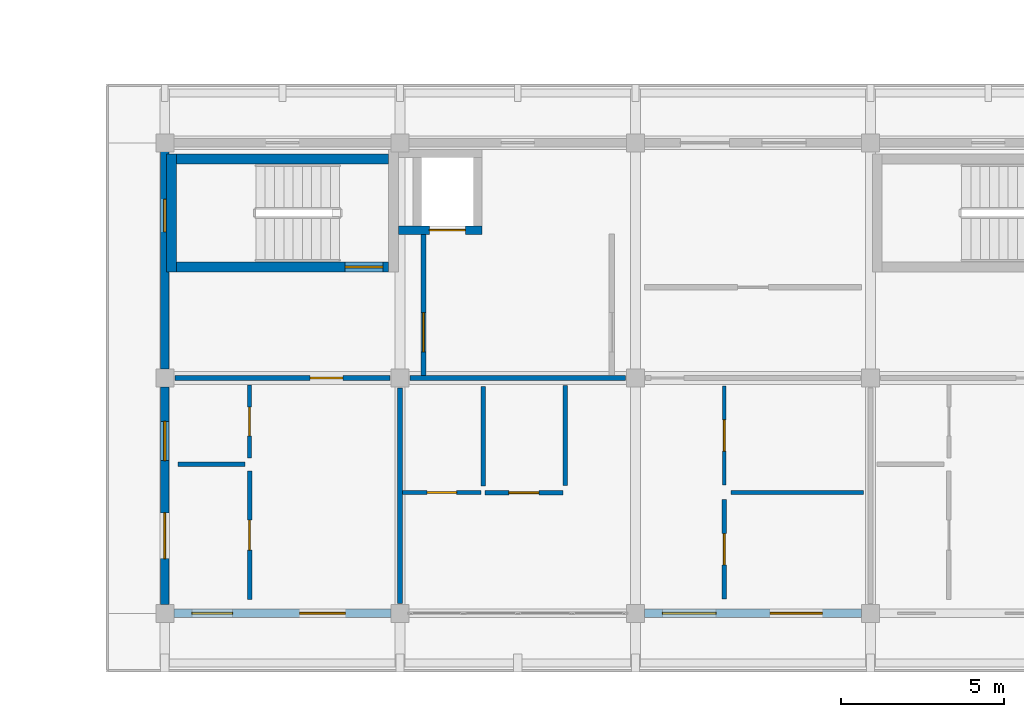
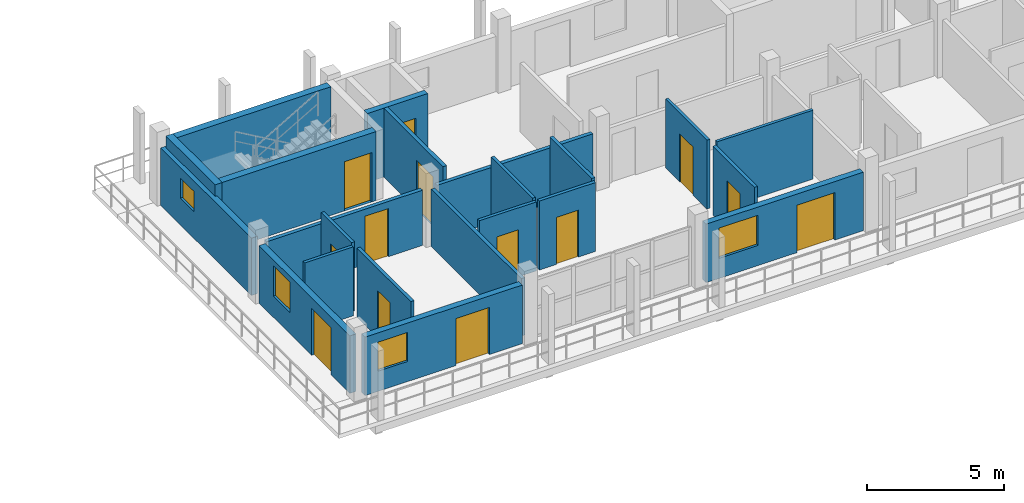
# One storey, part 40 of 60: 22 walls, 13 doors, 4 windows, 17 openings.
"""IFC4 building model written with IfcOpenShell, lengths in metres."""

import ifcopenshell
import ifcopenshell.guid

model = None  # the IFC model being written
_history = None  # IfcOwnerHistory: only IFC2X3 demands one
_inside = {}  # id of a spatial element -> (the spatial element, [elements in it])
_under = {}  # id of a project, library or spatial element -> (it, [spatial elements below it])
_declared = {}  # id of a project -> (the project, [libraries it declares])
_typed = {}  # id of a type object -> (the type object, [elements of that type])
_made_of = {}  # id of a material, layer set ... -> (it, [elements and type objects made of it])


def new_model(schema):
    """Start an empty IFC model of exactly this schema.

    Asked for "IFC4X3", IfcOpenShell would pick the latest addendum, in which some entities
    have other attributes; the version numbers below select the first issue.
    IFC2X3 requires an IfcOwnerHistory on every rooted entity: one is made here for all.
    """
    global model, _history
    if schema == "IFC4X3":
        model = ifcopenshell.file(schema_version=(4, 3, 0, 0))
    else:
        model = ifcopenshell.file(schema=schema)
    _inside.clear()
    _under.clear()
    _declared.clear()
    _typed.clear()
    _made_of.clear()
    _history = None
    if model.schema == "IFC2X3":
        org = make("IfcOrganization", Name="unknown")
        user = make(
            "IfcPersonAndOrganization",
            ThePerson=make("IfcPerson", FamilyName="unknown"),
            TheOrganization=org,
        )
        app = make(
            "IfcApplication",
            ApplicationDeveloper=org,
            Version="unknown",
            ApplicationFullName="unknown",
            ApplicationIdentifier="unknown",
        )
        _history = make(
            "IfcOwnerHistory",
            OwningUser=user,
            OwningApplication=app,
            ChangeAction="ADDED",
            CreationDate=0,
        )
    return model


def make(cls, **values):
    """One entity of the class cls with the attributes given. An attribute that is None is left unset."""
    return model.create_entity(
        cls, **{name: value for name, value in values.items() if value is not None}
    )


def rooted(cls, **values):
    """An entity with a GlobalId (a new one), such as an element, a storey or a relation."""
    return make(cls, GlobalId=ifcopenshell.guid.new(), OwnerHistory=_history, **values)


def si_unit(unit_type, name, prefix=None):
    """IfcSIUnit, for example si_unit("LENGTHUNIT", "METRE", prefix="MILLI")."""
    return make("IfcSIUnit", UnitType=unit_type, Prefix=prefix, Name=name)


def assignment(units):
    """IfcUnitAssignment: the units of a project."""
    return None if units is None else make("IfcUnitAssignment", Units=units)


def point(xyz):
    """IfcCartesianPoint."""
    return None if xyz is None else make("IfcCartesianPoint", Coordinates=xyz)


def direction(xyz):
    """IfcDirection."""
    return None if xyz is None else make("IfcDirection", DirectionRatios=xyz)


def frame(location, z_axis=None, x_axis=None):
    """IfcAxis2Placement3D, a coordinate frame: its origin and axes. An axis left out is left unset."""
    return make(
        "IfcAxis2Placement3D",
        Location=point(location),
        Axis=direction(z_axis),
        RefDirection=direction(x_axis),
    )


def frame_2d(location, x_axis=None):
    """IfcAxis2Placement2D, a coordinate frame in the plane: its origin and x axis."""
    return make(
        "IfcAxis2Placement2D", Location=point(location), RefDirection=direction(x_axis)
    )


def origin():
    """The frame at (0, 0, 0) with its axes left unset."""
    return frame((0.0, 0.0, 0.0))


def place(relative_to, where):
    """IfcLocalPlacement: puts the frame where relative to a parent placement (None: the world)."""
    return make(
        "IfcLocalPlacement", PlacementRelTo=relative_to, RelativePlacement=where
    )


def context(
    kind, dimensions, precision=None, world=None, true_north=None, identifier=None
):
    """IfcGeometricRepresentationContext, for example the 3D "Model" context."""
    return make(
        "IfcGeometricRepresentationContext",
        ContextIdentifier=identifier,
        ContextType=kind,
        CoordinateSpaceDimension=dimensions,
        Precision=precision,
        WorldCoordinateSystem=world,
        TrueNorth=true_north,
    )


def subcontext(parent, identifier, kind, view, scale=None):
    """IfcGeometricRepresentationSubContext, for example "Body" below "Model"."""
    return make(
        "IfcGeometricRepresentationSubContext",
        ContextIdentifier=identifier,
        ContextType=kind,
        ParentContext=parent,
        TargetScale=scale,
        TargetView=view,
    )


def project(units=None, contexts=None):
    """IfcProject with its units and contexts."""
    return rooted(
        "IfcProject",
        Name="project",
        RepresentationContexts=contexts,
        UnitsInContext=assignment(units),
    )


def spatial(cls, under=None, at=None, **own):
    """A site, building, storey or space (cls), placed at a placement, below another one or the project."""
    s = rooted(cls, ObjectPlacement=at, **own)
    if under is not None:
        _under.setdefault(under.id(), (under, []))[1].append(s)
    return s


def profile(cls, at=None, kind="AREA", **sizes):
    """A parametric profile (cls). Its sizes go by their IFC names, for example OverallWidth=200.0."""
    return make(cls, ProfileType=kind, Position=at, **sizes)


def rectangle(**sizes):
    """IfcRectangleProfileDef."""
    return profile("IfcRectangleProfileDef", **sizes)


def extrude(swept, where, along, depth):
    """IfcExtrudedAreaSolid: the profile swept, set in the frame where, extruded along a direction by depth."""
    return make(
        "IfcExtrudedAreaSolid",
        SweptArea=swept,
        Position=where,
        ExtrudedDirection=direction(along),
        Depth=depth,
    )


def shape(context_of_items, identifier, shape_type, items):
    """IfcShapeRepresentation: the items that make up one representation, for example the "Body"."""
    return make(
        "IfcShapeRepresentation",
        ContextOfItems=context_of_items,
        RepresentationIdentifier=identifier,
        RepresentationType=shape_type,
        Items=items,
    )


def material(Name=None, Category=None):
    """IfcMaterial."""
    return make("IfcMaterial", Name=Name, Category=Category)


def layer(
    of_material, thickness, ventilated=None, Name=None, Category=None, Priority=None
):
    """IfcMaterialLayer: one layer of a wall or slab, of a material (None: an air gap)."""
    return make(
        "IfcMaterialLayer",
        Material=of_material,
        LayerThickness=thickness,
        IsVentilated=ventilated,
        Name=Name,
        Category=Category,
        Priority=Priority,
    )


def layer_set(layers, Name=None):
    """IfcMaterialLayerSet."""
    return make("IfcMaterialLayerSet", MaterialLayers=layers, LayerSetName=Name)


def made_of(thing, what):
    """Note that an element or type object is made of a material, layer set ...; save() writes the relation."""
    if what is not None:
        _made_of.setdefault(what.id(), (what, []))[1].append(thing)
    return thing


def type_object(cls, material=None, **own):
    """A type object (cls), such as IfcWallType, which elements share."""
    return made_of(rooted(cls, **own), material)


def element(
    cls,
    number,
    at=None,
    inside=None,
    cuts=None,
    type_object=None,
    material=None,
    context=None,
    identifier="Body",
    shape_type=None,
    held_by="IfcProductDefinitionShape",
    body=None,
    shapes=None,
    **own,
):
    """One element of the class cls, such as IfcWall. Its Tag is "e" and its number.

    at: its placement. inside: the storey or other place that contains it. cuts: it is an
    opening in that element (IfcRelVoidsElement). A single representation is given by context,
    identifier, shape_type and body (its items); several are given by shapes. held_by: the class
    of the entity that holds the representations. save() writes the other relations.
    """
    e = rooted(cls, Tag="e%d" % number, ObjectPlacement=at, **own)
    if body is not None:
        shapes = [shape(context, identifier, shape_type, body)]
    if shapes is not None:
        e.Representation = make(held_by, Representations=shapes)
    if inside is not None:
        _inside.setdefault(inside.id(), (inside, []))[1].append(e)
    if cuts is not None:
        rooted(
            "IfcRelVoidsElement", RelatingBuildingElement=cuts, RelatedOpeningElement=e
        )
    if type_object is not None:
        _typed.setdefault(type_object.id(), (type_object, []))[1].append(e)
    return made_of(e, material)


def fill(opening, filler):
    """IfcRelFillsElement: the door or window that sits in an opening."""
    return rooted(
        "IfcRelFillsElement",
        RelatingOpeningElement=opening,
        RelatedBuildingElement=filler,
    )


def aggregate(whole, parts):
    """IfcRelAggregates: a whole, such as a stair, and the parts it consists of."""
    return rooted("IfcRelAggregates", RelatingObject=whole, RelatedObjects=parts)


def save(model, path):
    """Write the relations noted so far, then the file.

    IfcRelAggregates (storeys below a building ...), IfcRelContainedInSpatialStructure (elements
    in a storey), IfcRelDefinesByType, IfcRelAssociatesMaterial and IfcRelDeclares: one each for
    every whole, place, type object, material and project.
    """
    for whole, parts in _under.values():
        aggregate(whole, parts)
    for where, things in _inside.values():
        rooted(
            "IfcRelContainedInSpatialStructure",
            RelatedElements=things,
            RelatingStructure=where,
        )
    for kind, things in _typed.values():
        rooted("IfcRelDefinesByType", RelatedObjects=things, RelatingType=kind)
    for what, things in _made_of.values():
        rooted("IfcRelAssociatesMaterial", RelatedObjects=things, RelatingMaterial=what)
    for by, libraries in _declared.values():
        rooted("IfcRelDeclares", RelatingContext=by, RelatedDefinitions=libraries)
    model.write(path)


model = new_model("IFC4")

# Units and contexts
model_context = context("Model", 3, precision=1e-05, world=origin(), true_north=direction((0.0, 1.0)))
body_context = subcontext(model_context, "Body", "Model", "MODEL_VIEW")
ifc_project = project(units=[si_unit("LENGTHUNIT", "METRE"), si_unit("AREAUNIT", "SQUARE_METRE"), si_unit("VOLUMEUNIT", "CUBIC_METRE"), si_unit("PLANEANGLEUNIT", "RADIAN"), si_unit("MASSUNIT", "GRAM", prefix="KILO")], contexts=[model_context])

# Site, building, storey
site_placement = place(None, origin())
site = spatial("IfcSite", under=ifc_project, at=site_placement, CompositionType="ELEMENT")
building_placement = place(site_placement, origin())
building = spatial("IfcBuilding", under=site, at=building_placement, Name="Suanplinth Sawtooth Commons", CompositionType="ELEMENT")
storey_placement = place(building_placement, frame((0.0, 0.0, 31.5)))
storey = spatial("IfcBuildingStorey", under=building, at=storey_placement, Name="L09", CompositionType="ELEMENT", Elevation=31.5)

# Wall, opening, door
ifc_material_1 = material(Name="Concrete C40/50", Category="concrete")
ifc_layer_1 = layer(ifc_material_1, 0.300048828125, Name="Standard RC stair and lift core wall 300mm")
ifc_layer_set_1 = layer_set([ifc_layer_1], Name="Concrete C40/50")
wall_type_1 = type_object("IfcWallType", Name="W-CR02", PredefinedType="SHEAR", material=ifc_layer_set_1)
wall_1_placement = place(storey_placement, frame((137.14990234375, 10.60009765625, 0.0), z_axis=(0.0, 0.0, 1.0), x_axis=(1.0, 0.0, 0.0)))
wall_1 = element("IfcWall", 1, at=wall_1_placement, inside=storey, type_object=wall_type_1, Name="W-L09-C-C1-STS", PredefinedType="SHEAR", context=body_context, shape_type="SweptSolid", body=[
    extrude(rectangle(XDim=6.5, YDim=0.300048828125, at=frame_2d((3.25, 0.0))), origin(), (0.0, 0.0, 1.0), 3.080078125),
])
opening_1_placement = place(wall_1_placement, frame((5.169921875, 0.0, 0.0)))
opening_1 = element("IfcOpeningElement", 2, at=opening_1_placement, cuts=wall_1, Name="Opening FD0316", PredefinedType="OPENING", context=body_context, shape_type="SweptSolid", body=[
    extrude(rectangle(XDim=1.14990234375, YDim=2.199951171875, at=frame_2d((0.574951171875, 1.10009765625))), frame((0.0, 0.1650390625, 0.0), z_axis=(0.0, -1.0, 0.0), x_axis=(1.0, 0.0, 0.0)), (0.0, 0.0, 1.0), 0.329833984375),
])
ifc_material_2 = material(Name="Teak hardwood fire-rated door assembly", Category="wood")
door_type_1 = type_object("IfcDoorType", Name="FD-01", OperationType="NOTDEFINED", PredefinedType="DOOR", material=ifc_material_2)
door_1_placement = place(opening_1_placement, origin())
door_1 = element("IfcDoor", 3, at=door_1_placement, inside=storey, type_object=door_type_1, Name="Exit Stair Fire Door FD0316", OperationType="SINGLE_SWING_LEFT", OverallHeight=2.199951171875, OverallWidth=1.14990234375, PredefinedType="DOOR", context=body_context, shape_type="SweptSolid", body=[
    extrude(rectangle(XDim=1.14990234375, YDim=2.199951171875, at=frame_2d((0.574951171875, 1.10009765625))), frame((0.0, 0.02490234375, 0.0), z_axis=(0.0, -1.0, 0.0), x_axis=(1.0, 0.0, 0.0)), (0.0, 0.0, 1.0), 0.050048828125),
])
fill(opening_1, door_1)

# Walls
wall_2_placement = place(storey_placement, frame((137.14990234375, 13.89990234375, 0.0), z_axis=(0.0, 0.0, 1.0), x_axis=(1.0, 0.0, 0.0)))
element("IfcWall", 4, at=wall_2_placement, inside=storey, type_object=wall_type_1, Name="W-L09-C-C1-STN", PredefinedType="SHEAR", context=body_context, shape_type="SweptSolid", body=[
    extrude(rectangle(XDim=6.5, YDim=0.300048828125, at=frame_2d((3.25, 0.0))), origin(), (0.0, 0.0, 1.0), 3.080078125),
])
wall_3_placement = place(storey_placement, frame((137.0, 10.449951171875, 0.0), z_axis=(0.0, 0.0, 1.0), x_axis=(0.0, 1.0, 0.0)))
element("IfcWall", 5, at=wall_3_placement, inside=storey, type_object=wall_type_1, Name="W-L09-C-C1-STW", PredefinedType="SHEAR", context=body_context, shape_type="SweptSolid", body=[
    extrude(rectangle(XDim=3.60009765625, YDim=0.300048828125, at=frame_2d((1.800048828125, 0.0))), origin(), (0.0, 0.0, 1.0), 3.080078125),
])

# Wall, openings, door, window
ifc_material_3 = material(Name="Precast concrete C40/50", Category="concrete")
ifc_layer_2 = layer(ifc_material_3, 0.260009765625, Name="Insulated precast courtyard facade wall 260mm")
ifc_layer_set_2 = layer_set([ifc_layer_2], Name="Precast concrete C40/50")
wall_type_2 = type_object("IfcWallType", Name="W-EX02", PredefinedType="ELEMENTEDWALL", material=ifc_layer_set_2)
wall_4_placement = place(storey_placement, frame((137.074951171875, 0.0, 0.0), z_axis=(0.0, 0.0, 1.0), x_axis=(1.0, 0.0, 0.0)))
wall_4 = element("IfcWall", 6, at=wall_4_placement, inside=storey, type_object=wall_type_2, Name="Facade Wall W-L09-C-S-19-0", PredefinedType="ELEMENTEDWALL", context=body_context, shape_type="SweptSolid", body=[
    extrude(rectangle(XDim=6.650146484375, YDim=0.260009765625, at=frame_2d((3.3251953125, 0.0))), origin(), (0.0, 0.0, 1.0), 2.614990234375),
])
opening_2_placement = place(wall_4_placement, frame((3.85009765625, 0.0, 0.0)))
opening_2 = element("IfcOpeningElement", 7, at=opening_2_placement, cuts=wall_4, Name="Opening ED0721", PredefinedType="OPENING", context=body_context, shape_type="SweptSolid", body=[
    extrude(rectangle(XDim=1.39990234375, YDim=2.10009765625, at=frame_2d((0.699951171875, 1.050048828125))), frame((0.0, 0.14501953125, 0.0), z_axis=(0.0, -1.0, 0.0), x_axis=(1.0, 0.0, 0.0)), (0.0, 0.0, 1.0), 0.289794921875),
])
opening_3_placement = place(wall_4_placement, frame((0.550048828125, 0.0, 0.89990234375)))
opening_3 = element("IfcOpeningElement", 8, at=opening_3_placement, cuts=wall_4, Name="Opening W0801", PredefinedType="OPENING", context=body_context, shape_type="SweptSolid", body=[
    extrude(rectangle(XDim=1.25, YDim=1.300048828125, at=frame_2d((0.625, 0.64990234375))), frame((0.0, 0.14501953125, 0.0), z_axis=(0.0, -1.0, 0.0), x_axis=(1.0, 0.0, 0.0)), (0.0, 0.0, 1.0), 0.289794921875),
])
ifc_material_4 = material(Name="Anodized aluminium and low-E glass", Category="aluminium")
door_type_2 = type_object("IfcDoorType", Name="SD-07", OperationType="SLIDING_TO_RIGHT", PredefinedType="DOOR", material=ifc_material_4)
door_2_placement = place(opening_2_placement, frame((1.39990234375, 0.0, 0.0), z_axis=(0.0, 0.0, 1.0), x_axis=(-1.0, 0.0, 0.0)))
door_2 = element("IfcDoor", 9, at=door_2_placement, inside=storey, type_object=door_type_2, Name="Balcony Sliding Door L09-C-19", OperationType="SLIDING_TO_RIGHT", OverallHeight=2.10009765625, OverallWidth=1.39990234375, PredefinedType="DOOR", context=body_context, shape_type="SweptSolid", body=[
    extrude(rectangle(XDim=1.39990234375, YDim=2.10009765625, at=frame_2d((0.699951171875, 1.050048828125))), frame((0.0, 0.02490234375, 0.0), z_axis=(0.0, -1.0, 0.0), x_axis=(1.0, 0.0, 0.0)), (0.0, 0.0, 1.0), 0.050048828125),
])
fill(opening_2, door_2)
ifc_material_5 = material(Name="Thermally broken aluminium and low-E double glazing", Category="aluminium")
window_type_1 = type_object("IfcWindowType", Name="WN-17", PartitioningType="SINGLE_PANEL", PredefinedType="WINDOW", material=ifc_material_5)
window_1_placement = place(opening_3_placement, origin())
window_1 = element("IfcWindow", 10, at=window_1_placement, inside=storey, type_object=window_type_1, Name="Apartment Window L09-C-19", OverallHeight=1.300048828125, OverallWidth=1.25, PartitioningType="SINGLE_PANEL", PredefinedType="WINDOW", context=body_context, shape_type="SweptSolid", body=[
    extrude(rectangle(XDim=1.25, YDim=1.300048828125, at=frame_2d((0.625, 0.64990234375))), frame((0.0, 0.030029296875, 0.0), z_axis=(0.0, -1.0, 0.0), x_axis=(1.0, 0.0, 0.0)), (0.0, 0.0, 1.0), 0.06005859375),
])
fill(opening_3, window_1)

wall_5_placement = place(storey_placement, frame((136.800048828125, 0.27490234375, 0.0), z_axis=(0.0, 0.0, 1.0), x_axis=(0.0, 1.0, 0.0)))
wall_5 = element("IfcWall", 11, at=wall_5_placement, inside=storey, type_object=wall_type_2, Name="Facade Wall W-L09-C-W-19-0", PredefinedType="ELEMENTEDWALL", context=body_context, shape_type="SweptSolid", body=[
    extrude(rectangle(XDim=6.650146484375, YDim=0.260009765625, at=frame_2d((3.3251953125, 0.0))), origin(), (0.0, 0.0, 1.0), 2.56494140625),
])
opening_4_placement = place(wall_5_placement, frame((1.39990234375, 0.0, 0.0)))
opening_4 = element("IfcOpeningElement", 12, at=opening_4_placement, cuts=wall_5, Name="Opening ED0722", PredefinedType="OPENING", context=body_context, shape_type="SweptSolid", body=[
    extrude(rectangle(XDim=1.39990234375, YDim=2.10009765625, at=frame_2d((0.699951171875, 1.050048828125))), frame((0.0, 0.14501953125, 0.0), z_axis=(0.0, -1.0, 0.0), x_axis=(1.0, 0.0, 0.0)), (0.0, 0.0, 1.0), 0.289794921875),
])
opening_5_placement = place(wall_5_placement, frame((4.39990234375, 0.0, 0.949951171875)))
opening_5 = element("IfcOpeningElement", 13, at=opening_5_placement, cuts=wall_5, Name="Opening W0802", PredefinedType="OPENING", context=body_context, shape_type="SweptSolid", body=[
    extrude(rectangle(XDim=1.199951171875, YDim=1.35009765625, at=frame_2d((0.60009765625, 0.675048828125))), frame((0.0, 0.14501953125, 0.0), z_axis=(0.0, -1.0, 0.0), x_axis=(1.0, 0.0, 0.0)), (0.0, 0.0, 1.0), 0.289794921875),
])
door_3_placement = place(opening_4_placement, frame((1.39990234375, 0.0, 0.0), z_axis=(0.0, 0.0, 1.0), x_axis=(-1.0, 0.0, 0.0)))
door_3 = element("IfcDoor", 14, at=door_3_placement, inside=storey, type_object=door_type_2, Name="End Balcony Sliding Door L09-C-W-19-0", OperationType="SLIDING_TO_RIGHT", OverallHeight=2.10009765625, OverallWidth=1.39990234375, PredefinedType="DOOR", context=body_context, shape_type="SweptSolid", body=[
    extrude(rectangle(XDim=1.39990234375, YDim=2.10009765625, at=frame_2d((0.699951171875, 1.050048828125))), frame((0.0, 0.02490234375, 0.0), z_axis=(0.0, -1.0, 0.0), x_axis=(1.0, 0.0, 0.0)), (0.0, 0.0, 1.0), 0.050048828125),
])
fill(opening_4, door_3)
window_type_2 = type_object("IfcWindowType", Name="WN-03", PartitioningType="SINGLE_PANEL", PredefinedType="WINDOW", material=ifc_material_5)
window_2_placement = place(opening_5_placement, origin())
window_2 = element("IfcWindow", 15, at=window_2_placement, inside=storey, type_object=window_type_2, Name="End Bedroom Window L09-C-19-0", OverallHeight=1.35009765625, OverallWidth=1.199951171875, PartitioningType="SINGLE_PANEL", PredefinedType="WINDOW", context=body_context, shape_type="SweptSolid", body=[
    extrude(rectangle(XDim=1.199951171875, YDim=1.35009765625, at=frame_2d((0.60009765625, 0.675048828125))), frame((0.0, 0.030029296875, 0.0), z_axis=(0.0, -1.0, 0.0), x_axis=(1.0, 0.0, 0.0)), (0.0, 0.0, 1.0), 0.06005859375),
])
fill(opening_5, window_2)

# Wall, opening, window
wall_6_placement = place(storey_placement, frame((136.800048828125, 7.47509765625, 0.0), z_axis=(0.0, 0.0, 1.0), x_axis=(0.0, 1.0, 0.0)))
wall_6 = element("IfcWall", 16, at=wall_6_placement, inside=storey, type_object=wall_type_2, Name="Facade Wall W-L09-C-W-19-1", PredefinedType="ELEMENTEDWALL", context=body_context, shape_type="SweptSolid", body=[
    extrude(rectangle(XDim=6.64990234375, YDim=0.260009765625, at=frame_2d((3.324951171875, 0.0))), origin(), (0.0, 0.0, 1.0), 2.56494140625),
])
opening_6_placement = place(wall_6_placement, frame((4.199951171875, 0.0, 1.199951171875)))
opening_6 = element("IfcOpeningElement", 17, at=opening_6_placement, cuts=wall_6, Name="Opening W0804", PredefinedType="OPENING", context=body_context, shape_type="SweptSolid", body=[
    extrude(rectangle(XDim=1.0, YDim=0.89990234375, at=frame_2d((0.5, 0.449951171875))), frame((0.0, 0.14501953125, 0.0), z_axis=(0.0, -1.0, 0.0), x_axis=(1.0, 0.0, 0.0)), (0.0, 0.0, 1.0), 0.289794921875),
])
window_type_3 = type_object("IfcWindowType", Name="WN-12", PartitioningType="SINGLE_PANEL", PredefinedType="WINDOW", material=ifc_material_5)
window_3_placement = place(opening_6_placement, origin())
window_3 = element("IfcWindow", 18, at=window_3_placement, inside=storey, type_object=window_type_3, Name="Core Daylight Window L09-C-19-1", OverallHeight=0.89990234375, OverallWidth=1.0, PartitioningType="SINGLE_PANEL", PredefinedType="WINDOW", context=body_context, shape_type="SweptSolid", body=[
    extrude(rectangle(XDim=1.0, YDim=0.89990234375, at=frame_2d((0.5, 0.449951171875))), frame((0.0, 0.030029296875, 0.0), z_axis=(0.0, -1.0, 0.0), x_axis=(1.0, 0.0, 0.0)), (0.0, 0.0, 1.0), 0.06005859375),
])
fill(opening_6, window_3)

# Wall, openings, door, window
wall_7_placement = place(storey_placement, frame((151.47509765625, 0.0, 0.0), z_axis=(0.0, 0.0, 1.0), x_axis=(1.0, 0.0, 0.0)))
wall_7 = element("IfcWall", 19, at=wall_7_placement, inside=storey, type_object=wall_type_2, Name="Facade Wall W-L09-C-S-21-0", PredefinedType="ELEMENTEDWALL", context=body_context, shape_type="SweptSolid", body=[
    extrude(rectangle(XDim=6.64990234375, YDim=0.260009765625, at=frame_2d((3.324951171875, 0.0))), origin(), (0.0, 0.0, 1.0), 2.614990234375),
])
opening_7_placement = place(wall_7_placement, frame((3.85009765625, 0.0, 0.0)))
opening_7 = element("IfcOpeningElement", 20, at=opening_7_placement, cuts=wall_7, Name="Opening ED0723", PredefinedType="OPENING", context=body_context, shape_type="SweptSolid", body=[
    extrude(rectangle(XDim=1.60009765625, YDim=2.1201171875, at=frame_2d((0.800048828125, 1.06005859375))), frame((0.0, 0.14501953125, 0.0), z_axis=(0.0, -1.0, 0.0), x_axis=(1.0, 0.0, 0.0)), (0.0, 0.0, 1.0), 0.289794921875),
])
opening_8_placement = place(wall_7_placement, frame((0.550048828125, 0.0, 0.89990234375)))
opening_8 = element("IfcOpeningElement", 21, at=opening_8_placement, cuts=wall_7, Name="Opening W0806", PredefinedType="OPENING", context=body_context, shape_type="SweptSolid", body=[
    extrude(rectangle(XDim=1.64990234375, YDim=1.35009765625, at=frame_2d((0.824951171875, 0.675048828125))), frame((0.0, 0.14501953125, 0.0), z_axis=(0.0, -1.0, 0.0), x_axis=(1.0, 0.0, 0.0)), (0.0, 0.0, 1.0), 0.289794921875),
])
door_type_3 = type_object("IfcDoorType", Name="SD-02", OperationType="SLIDING_TO_RIGHT", PredefinedType="DOOR", material=ifc_material_4)
door_4_placement = place(opening_7_placement, frame((1.60009765625, 0.0, 0.0), z_axis=(0.0, 0.0, 1.0), x_axis=(-1.0, 0.0, 0.0)))
door_4 = element("IfcDoor", 22, at=door_4_placement, inside=storey, type_object=door_type_3, Name="Balcony Sliding Door L09-C-21", OperationType="SLIDING_TO_RIGHT", OverallHeight=2.1201171875, OverallWidth=1.60009765625, PredefinedType="DOOR", context=body_context, shape_type="SweptSolid", body=[
    extrude(rectangle(XDim=1.60009765625, YDim=2.1201171875, at=frame_2d((0.800048828125, 1.06005859375))), frame((0.0, 0.02490234375, 0.0), z_axis=(0.0, -1.0, 0.0), x_axis=(1.0, 0.0, 0.0)), (0.0, 0.0, 1.0), 0.050048828125),
])
fill(opening_7, door_4)
window_type_4 = type_object("IfcWindowType", Name="WN-19", PartitioningType="DOUBLE_PANEL_VERTICAL", PredefinedType="WINDOW", material=ifc_material_5)
window_4_placement = place(opening_8_placement, origin())
window_4 = element("IfcWindow", 23, at=window_4_placement, inside=storey, type_object=window_type_4, Name="Apartment Window L09-C-21", OverallHeight=1.35009765625, OverallWidth=1.64990234375, PartitioningType="DOUBLE_PANEL_VERTICAL", PredefinedType="WINDOW", context=body_context, shape_type="SweptSolid", body=[
    extrude(rectangle(XDim=1.64990234375, YDim=1.35009765625, at=frame_2d((0.824951171875, 0.675048828125))), frame((0.0, 0.030029296875, 0.0), z_axis=(0.0, -1.0, 0.0), x_axis=(1.0, 0.0, 0.0)), (0.0, 0.0, 1.0), 0.06005859375),
])
fill(opening_8, window_4)

# Wall, opening, door
ifc_layer_3 = layer(ifc_material_3, 0.159912109375, Name="Fire-rated corridor and lobby wall 160mm")
ifc_layer_set_3 = layer_set([ifc_layer_3], Name="Precast concrete C40/50")
wall_type_3 = type_object("IfcWallType", Name="W-FW01", PredefinedType="PARTITIONING", material=ifc_layer_set_3)
wall_8_placement = place(storey_placement, frame((144.719970703125, 7.280029296875, 0.0), z_axis=(0.0, 0.0, 1.0), x_axis=(0.0, 1.0, 0.0)))
wall_8 = element("IfcWall", 24, at=wall_8_placement, inside=storey, type_object=wall_type_3, Name="W-L09-C-C1-LOB-W", PredefinedType="PARTITIONING", context=body_context, shape_type="SweptSolid", body=[
    extrude(rectangle(XDim=4.320068359375, YDim=0.159912109375, at=frame_2d((2.16015625, 0.0))), origin(), (0.0, 0.0, 1.0), 3.080078125),
])
opening_9_placement = place(wall_8_placement, frame((0.719970703125, 0.0, 0.0)))
opening_9 = element("IfcOpeningElement", 25, at=opening_9_placement, cuts=wall_8, Name="Opening FD0317", PredefinedType="OPENING", context=body_context, shape_type="SweptSolid", body=[
    extrude(rectangle(XDim=1.199951171875, YDim=2.199951171875, at=frame_2d((0.60009765625, 1.10009765625))), frame((0.0, 0.0947265625, 0.0), z_axis=(0.0, -1.0, 0.0), x_axis=(1.0, 0.0, 0.0)), (0.0, 0.0, 1.0), 0.189697265625),
])
door_type_4 = type_object("IfcDoorType", Name="FD-02", OperationType="NOTDEFINED", PredefinedType="DOOR", material=ifc_material_2)
door_5_placement = place(opening_9_placement, origin())
door_5 = element("IfcDoor", 26, at=door_5_placement, inside=storey, type_object=door_type_4, Name="Lobby Fire Door FD0317", OperationType="SINGLE_SWING_RIGHT", OverallHeight=2.199951171875, OverallWidth=1.199951171875, PredefinedType="DOOR", context=body_context, shape_type="SweptSolid", body=[
    extrude(rectangle(XDim=1.199951171875, YDim=2.199951171875, at=frame_2d((0.60009765625, 1.10009765625))), frame((0.0, 0.02490234375, 0.0), z_axis=(0.0, -1.0, 0.0), x_axis=(1.0, 0.0, 0.0)), (0.0, 0.0, 1.0), 0.050048828125),
])
fill(opening_9, door_5)

wall_9_placement = place(storey_placement, frame((137.10498046875, 7.199951171875, 0.0), z_axis=(0.0, 0.0, 1.0), x_axis=(1.0, 0.0, 0.0)))
wall_9 = element("IfcWall", 27, at=wall_9_placement, inside=storey, type_object=wall_type_3, Name="W-C-L09-U01-COR", PredefinedType="PARTITIONING", context=body_context, shape_type="SweptSolid", body=[
    extrude(rectangle(XDim=6.590087890625, YDim=0.159912109375, at=frame_2d((3.294921875, 0.0))), origin(), (0.0, 0.0, 1.0), 2.465087890625),
])
opening_10_placement = place(wall_9_placement, frame((4.14501953125, 0.0, 0.0)))
opening_10 = element("IfcOpeningElement", 28, at=opening_10_placement, cuts=wall_9, Name="Opening FD1820", PredefinedType="OPENING", context=body_context, shape_type="SweptSolid", body=[
    extrude(rectangle(XDim=1.0, YDim=2.14990234375, at=frame_2d((0.5, 1.074951171875))), frame((0.0, 0.0947265625, 0.0), z_axis=(0.0, -1.0, 0.0), x_axis=(1.0, 0.0, 0.0)), (0.0, 0.0, 1.0), 0.189697265625),
])
door_type_5 = type_object("IfcDoorType", Name="FD-03", OperationType="NOTDEFINED", PredefinedType="DOOR", material=ifc_material_2)
door_6_placement = place(opening_10_placement, frame((1.0, 0.0, 0.0), z_axis=(0.0, 0.0, 1.0), x_axis=(-1.0, 0.0, 0.0)))
door_6 = element("IfcDoor", 29, at=door_6_placement, inside=storey, type_object=door_type_5, Name="Unit Entrance Door FD1820", OperationType="SINGLE_SWING_RIGHT", OverallHeight=2.14990234375, OverallWidth=1.0, PredefinedType="DOOR", context=body_context, shape_type="SweptSolid", body=[
    extrude(rectangle(XDim=1.0, YDim=2.14990234375, at=frame_2d((0.5, 1.074951171875))), frame((0.0, 0.02490234375, 0.0), z_axis=(0.0, -1.0, 0.0), x_axis=(1.0, 0.0, 0.0)), (0.0, 0.0, 1.0), 0.050048828125),
])
fill(opening_10, door_6)

# Walls
wall_10_placement = place(storey_placement, frame((144.304931640625, 7.199951171875, 0.0), z_axis=(0.0, 0.0, 1.0), x_axis=(1.0, 0.0, 0.0)))
element("IfcWall", 30, at=wall_10_placement, inside=storey, type_object=wall_type_3, Name="W-C-L09-U02-COR-S1", PredefinedType="PARTITIONING", context=body_context, shape_type="SweptSolid", body=[
    extrude(rectangle(XDim=6.590087890625, YDim=0.159912109375, at=frame_2d((3.294921875, 0.0))), origin(), (0.0, 0.0, 1.0), 2.465087890625),
])
ifc_layer_4 = layer(ifc_material_3, 0.14990234375, Name="Acoustic precast party demising wall 150mm")
ifc_layer_set_4 = layer_set([ifc_layer_4], Name="Precast concrete C40/50")
wall_type_4 = type_object("IfcWallType", Name="W-FW02", PredefinedType="PARTITIONING", material=ifc_layer_set_4)
wall_11_placement = place(storey_placement, frame((144.0, 0.304931640625, 0.0), z_axis=(0.0, 0.0, 1.0), x_axis=(0.0, 1.0, 0.0)))
element("IfcWall", 31, at=wall_11_placement, inside=storey, type_object=wall_type_4, Name="W-C-L09-U01-PTY", PredefinedType="PARTITIONING", context=body_context, shape_type="SweptSolid", body=[
    extrude(rectangle(XDim=6.590087890625, YDim=0.14990234375, at=frame_2d((3.294921875, 0.0))), origin(), (0.0, 0.0, 1.0), 2.56494140625),
])

# Wall, opening, door
ifc_material_6 = material(Name="Gypsum plasterboard on steel stud", Category="steel")
ifc_layer_5 = layer(ifc_material_6, 0.139892578125, Name="Fire-rated kitchen partition 140mm")
ifc_layer_set_5 = layer_set([ifc_layer_5], Name="Gypsum plasterboard on steel stud")
wall_type_5 = type_object("IfcWallType", Name="W-PT01", PredefinedType="PARTITIONING", material=ifc_layer_set_5)
wall_12_placement = place(storey_placement, frame((139.39501953125, 0.419921875, 0.0), z_axis=(0.0, 0.0, 1.0), x_axis=(0.0, 1.0, 0.0)))
wall_12 = element("IfcWall", 32, at=wall_12_placement, inside=storey, type_object=wall_type_5, Name="W-C-L09-U01-KITE", PredefinedType="PARTITIONING", context=body_context, shape_type="SweptSolid", body=[
    extrude(rectangle(XDim=3.940185546875, YDim=0.139892578125, at=frame_2d((1.97021484375, 0.0))), origin(), (0.0, 0.0, 1.0), 3.080078125),
])
opening_11_placement = place(wall_12_placement, frame((1.510009765625, 0.0, 0.0)))
opening_11 = element("IfcOpeningElement", 33, at=opening_11_placement, cuts=wall_12, Name="Opening D1822", PredefinedType="OPENING", context=body_context, shape_type="SweptSolid", body=[
    extrude(rectangle(XDim=0.919921875, YDim=2.10009765625, at=frame_2d((0.4599609375, 1.050048828125))), frame((0.0, 0.0849609375, 0.0), z_axis=(0.0, -1.0, 0.0), x_axis=(1.0, 0.0, 0.0)), (0.0, 0.0, 1.0), 0.169677734375),
])
ifc_material_7 = material(Name="Teak hardwood", Category="wood")
door_type_6 = type_object("IfcDoorType", Name="D-02", OperationType="NOTDEFINED", PredefinedType="DOOR", material=ifc_material_7)
door_7_placement = place(opening_11_placement, origin())
door_7 = element("IfcDoor", 34, at=door_7_placement, inside=storey, type_object=door_type_6, Name="Kitchen Door D1822", OperationType="SINGLE_SWING_RIGHT", OverallHeight=2.10009765625, OverallWidth=0.919921875, PredefinedType="DOOR", context=body_context, shape_type="SweptSolid", body=[
    extrude(rectangle(XDim=0.919921875, YDim=2.10009765625, at=frame_2d((0.4599609375, 1.050048828125))), frame((0.0, 0.02490234375, 0.0), z_axis=(0.0, -1.0, 0.0), x_axis=(1.0, 0.0, 0.0)), (0.0, 0.0, 1.0), 0.050048828125),
])
fill(opening_11, door_7)

wall_13_placement = place(storey_placement, frame((146.60009765625, 3.68994140625, 0.0), z_axis=(0.0, 0.0, 1.0), x_axis=(1.0, 0.0, 0.0)))
wall_13 = element("IfcWall", 35, at=wall_13_placement, inside=storey, type_object=wall_type_5, Name="W-C-L09-U02-KIT1", PredefinedType="PARTITIONING", context=body_context, shape_type="SweptSolid", body=[
    extrude(rectangle(XDim=2.3798828125, YDim=0.139892578125, at=frame_2d((1.18994140625, 0.0))), origin(), (0.0, 0.0, 1.0), 3.080078125),
])
opening_12_placement = place(wall_13_placement, frame((0.72998046875, 0.0, 0.0)))
opening_12 = element("IfcOpeningElement", 36, at=opening_12_placement, cuts=wall_13, Name="Opening D1825", PredefinedType="OPENING", context=body_context, shape_type="SweptSolid", body=[
    extrude(rectangle(XDim=0.919921875, YDim=2.10009765625, at=frame_2d((0.4599609375, 1.050048828125))), frame((0.0, 0.0849609375, 0.0), z_axis=(0.0, -1.0, 0.0), x_axis=(1.0, 0.0, 0.0)), (0.0, 0.0, 1.0), 0.169677734375),
])
door_8_placement = place(opening_12_placement, origin())
door_8 = element("IfcDoor", 37, at=door_8_placement, inside=storey, type_object=door_type_6, Name="Kitchen Door D1825", OperationType="SINGLE_SWING_LEFT", OverallHeight=2.10009765625, OverallWidth=0.919921875, PredefinedType="DOOR", context=body_context, shape_type="SweptSolid", body=[
    extrude(rectangle(XDim=0.919921875, YDim=2.10009765625, at=frame_2d((0.4599609375, 1.050048828125))), frame((0.0, 0.02490234375, 0.0), z_axis=(0.0, -1.0, 0.0), x_axis=(1.0, 0.0, 0.0)), (0.0, 0.0, 1.0), 0.050048828125),
])
fill(opening_12, door_8)

# Walls
wall_14_placement = place(storey_placement, frame((149.050048828125, 3.909912109375, 0.0), z_axis=(0.0, 0.0, 1.0), x_axis=(0.0, 1.0, 0.0)))
element("IfcWall", 38, at=wall_14_placement, inside=storey, type_object=wall_type_5, Name="W-C-L09-U02-KIT2", PredefinedType="PARTITIONING", context=body_context, shape_type="SweptSolid", body=[
    extrude(rectangle(XDim=3.06005859375, YDim=0.139892578125, at=frame_2d((1.530029296875, 0.0))), origin(), (0.0, 0.0, 1.0), 3.080078125),
])
ifc_layer_6 = layer(ifc_material_6, 0.1298828125, Name="Moisture-resistant bathroom partition 130mm")
ifc_layer_set_6 = layer_set([ifc_layer_6], Name="Gypsum plasterboard on steel stud")
wall_type_6 = type_object("IfcWallType", Name="W-PT02", PredefinedType="PARTITIONING", material=ifc_layer_set_6)
wall_15_placement = place(storey_placement, frame((137.199951171875, 4.56005859375, 0.0), z_axis=(0.0, 0.0, 1.0), x_axis=(1.0, 0.0, 0.0)))
element("IfcWall", 39, at=wall_15_placement, inside=storey, type_object=wall_type_6, Name="W-C-L09-U01-STDIV", PredefinedType="PARTITIONING", context=body_context, shape_type="SweptSolid", body=[
    extrude(rectangle(XDim=2.050048828125, YDim=0.1298828125, at=frame_2d((1.02490234375, 0.0))), origin(), (0.0, 0.0, 1.0), 3.080078125),
])

# Wall, opening, door
wall_16_placement = place(storey_placement, frame((139.39501953125, 4.760009765625, 0.0), z_axis=(0.0, 0.0, 1.0), x_axis=(0.0, 1.0, 0.0)))
wall_16 = element("IfcWall", 40, at=wall_16_placement, inside=storey, type_object=wall_type_6, Name="W-C-L09-U01-BTHE", PredefinedType="PARTITIONING", context=body_context, shape_type="SweptSolid", body=[
    extrude(rectangle(XDim=2.219970703125, YDim=0.1298828125, at=frame_2d((1.10986328125, 0.0))), origin(), (0.0, 0.0, 1.0), 3.080078125),
])
opening_13_placement = place(wall_16_placement, frame((0.669921875, 0.0, 0.0)))
opening_13 = element("IfcOpeningElement", 41, at=opening_13_placement, cuts=wall_16, Name="Opening D1821", PredefinedType="OPENING", context=body_context, shape_type="SweptSolid", body=[
    extrude(rectangle(XDim=0.8798828125, YDim=2.10009765625, at=frame_2d((0.43994140625, 1.050048828125))), frame((0.0, 0.079833984375, 0.0), z_axis=(0.0, -1.0, 0.0), x_axis=(1.0, 0.0, 0.0)), (0.0, 0.0, 1.0), 0.15966796875),
])
door_type_7 = type_object("IfcDoorType", Name="D-14", OperationType="NOTDEFINED", PredefinedType="DOOR", material=ifc_material_7)
door_9_placement = place(opening_13_placement, origin())
door_9 = element("IfcDoor", 42, at=door_9_placement, inside=storey, type_object=door_type_7, Name="Bathroom Door D1821", OperationType="SINGLE_SWING_LEFT", OverallHeight=2.10009765625, OverallWidth=0.8798828125, PredefinedType="DOOR", context=body_context, shape_type="SweptSolid", body=[
    extrude(rectangle(XDim=0.8798828125, YDim=2.10009765625, at=frame_2d((0.43994140625, 1.050048828125))), frame((0.0, 0.02490234375, 0.0), z_axis=(0.0, -1.0, 0.0), x_axis=(1.0, 0.0, 0.0)), (0.0, 0.0, 1.0), 0.050048828125),
])
fill(opening_13, door_9)

wall_17_placement = place(storey_placement, frame((144.080078125, 3.695068359375, 0.0), z_axis=(0.0, 0.0, 1.0), x_axis=(1.0, 0.0, 0.0)))
wall_17 = element("IfcWall", 43, at=wall_17_placement, inside=storey, type_object=wall_type_6, Name="W-C-L09-U02-BTH1", PredefinedType="PARTITIONING", context=body_context, shape_type="SweptSolid", body=[
    extrude(rectangle(XDim=2.39990234375, YDim=0.1298828125, at=frame_2d((1.199951171875, 0.0))), origin(), (0.0, 0.0, 1.0), 3.080078125),
])
opening_14_placement = place(wall_17_placement, frame((0.75, 0.0, 0.0)))
opening_14 = element("IfcOpeningElement", 44, at=opening_14_placement, cuts=wall_17, Name="Opening D1824", PredefinedType="OPENING", context=body_context, shape_type="SweptSolid", body=[
    extrude(rectangle(XDim=0.89990234375, YDim=2.10009765625, at=frame_2d((0.449951171875, 1.050048828125))), frame((0.0, 0.079833984375, 0.0), z_axis=(0.0, -1.0, 0.0), x_axis=(1.0, 0.0, 0.0)), (0.0, 0.0, 1.0), 0.15966796875),
])
door_type_8 = type_object("IfcDoorType", Name="D-01", OperationType="NOTDEFINED", PredefinedType="DOOR", material=ifc_material_7)
door_10_placement = place(opening_14_placement, origin())
door_10 = element("IfcDoor", 45, at=door_10_placement, inside=storey, type_object=door_type_8, Name="Bathroom Door D1824", OperationType="SINGLE_SWING_RIGHT", OverallHeight=2.10009765625, OverallWidth=0.89990234375, PredefinedType="DOOR", context=body_context, shape_type="SweptSolid", body=[
    extrude(rectangle(XDim=0.89990234375, YDim=2.10009765625, at=frame_2d((0.449951171875, 1.050048828125))), frame((0.0, 0.02490234375, 0.0), z_axis=(0.0, -1.0, 0.0), x_axis=(1.0, 0.0, 0.0)), (0.0, 0.0, 1.0), 0.050048828125),
])
fill(opening_14, door_10)

# Wall
wall_18_placement = place(storey_placement, frame((146.544921875, 3.89990234375, 0.0), z_axis=(0.0, 0.0, 1.0), x_axis=(0.0, 1.0, 0.0)))
element("IfcWall", 46, at=wall_18_placement, inside=storey, type_object=wall_type_6, Name="W-C-L09-U02-BTH2", PredefinedType="PARTITIONING", context=body_context, shape_type="SweptSolid", body=[
    extrude(rectangle(XDim=3.0400390625, YDim=0.1298828125, at=frame_2d((1.52001953125, 0.0))), origin(), (0.0, 0.0, 1.0), 3.080078125),
])

# Wall, opening, door
ifc_layer_7 = layer(ifc_material_6, 0.1201171875, Name="Acoustic bedroom partition 120mm")
ifc_layer_set_7 = layer_set([ifc_layer_7], Name="Gypsum plasterboard on steel stud")
wall_type_7 = type_object("IfcWallType", Name="W-PT03", PredefinedType="PARTITIONING", material=ifc_layer_set_7)
wall_19_placement = place(storey_placement, frame((153.919921875, 3.919921875, 0.0), z_axis=(0.0, 0.0, 1.0), x_axis=(0.0, 1.0, 0.0)))
wall_19 = element("IfcWall", 47, at=wall_19_placement, inside=storey, type_object=wall_type_7, Name="W-C-L09-U02-BED2", PredefinedType="PARTITIONING", context=body_context, shape_type="SweptSolid", body=[
    extrude(rectangle(XDim=3.0400390625, YDim=0.1201171875, at=frame_2d((1.52001953125, 0.0))), origin(), (0.0, 0.0, 1.0), 3.080078125),
])
opening_15_placement = place(wall_19_placement, frame((1.0400390625, 0.0, 0.0)))
opening_15 = element("IfcOpeningElement", 48, at=opening_15_placement, cuts=wall_19, Name="Opening D1827", PredefinedType="OPENING", context=body_context, shape_type="SweptSolid", body=[
    extrude(rectangle(XDim=0.9599609375, YDim=2.14990234375, at=frame_2d((0.47998046875, 1.074951171875))), frame((0.0, 0.074951171875, 0.0), z_axis=(0.0, -1.0, 0.0), x_axis=(1.0, 0.0, 0.0)), (0.0, 0.0, 1.0), 0.14990234375),
])
door_type_9 = type_object("IfcDoorType", Name="D-13", OperationType="NOTDEFINED", PredefinedType="DOOR", material=ifc_material_7)
door_11_placement = place(opening_15_placement, frame((0.9599609375, 0.0, 0.0), z_axis=(0.0, 0.0, 1.0), x_axis=(-1.0, 0.0, 0.0)))
door_11 = element("IfcDoor", 49, at=door_11_placement, inside=storey, type_object=door_type_9, Name="Second Bedroom Door D1827", OperationType="SINGLE_SWING_LEFT", OverallHeight=2.14990234375, OverallWidth=0.9599609375, PredefinedType="DOOR", context=body_context, shape_type="SweptSolid", body=[
    extrude(rectangle(XDim=0.9599609375, YDim=2.14990234375, at=frame_2d((0.47998046875, 1.074951171875))), frame((0.0, 0.02490234375, 0.0), z_axis=(0.0, -1.0, 0.0), x_axis=(1.0, 0.0, 0.0)), (0.0, 0.0, 1.0), 0.050048828125),
])
fill(opening_15, door_11)

# Wall
ifc_layer_8 = layer(ifc_material_6, 0.125, Name="Acoustic study partition 125mm")
ifc_layer_set_8 = layer_set([ifc_layer_8], Name="Gypsum plasterboard on steel stud")
wall_type_8 = type_object("IfcWallType", Name="W-PT06", PredefinedType="PARTITIONING", material=ifc_layer_set_8)
wall_20_placement = place(storey_placement, frame((154.1201171875, 3.699951171875, 0.0), z_axis=(0.0, 0.0, 1.0), x_axis=(1.0, 0.0, 0.0)))
element("IfcWall", 50, at=wall_20_placement, inside=storey, type_object=wall_type_8, Name="W-C-L09-U02-BEDDIV", PredefinedType="PARTITIONING", context=body_context, shape_type="SweptSolid", body=[
    extrude(rectangle(XDim=4.059814453125, YDim=0.125, at=frame_2d((2.02978515625, 0.0))), origin(), (0.0, 0.0, 1.0), 3.080078125),
])

# Wall, opening, door
ifc_layer_9 = layer(ifc_material_6, 0.135009765625, Name="Insulated bedroom demising partition 135mm")
ifc_layer_set_9 = layer_set([ifc_layer_9], Name="Gypsum plasterboard on steel stud")
wall_type_9 = type_object("IfcWallType", Name="W-PT07", PredefinedType="PARTITIONING", material=ifc_layer_set_9)
wall_21_placement = place(storey_placement, frame((153.919921875, 0.43994140625, 0.0), z_axis=(0.0, 0.0, 1.0), x_axis=(0.0, 1.0, 0.0)))
wall_21 = element("IfcWall", 51, at=wall_21_placement, inside=storey, type_object=wall_type_9, Name="W-C-L09-U02-BED1", PredefinedType="PARTITIONING", context=body_context, shape_type="SweptSolid", body=[
    extrude(rectangle(XDim=3.0400390625, YDim=0.135009765625, at=frame_2d((1.52001953125, 0.0))), origin(), (0.0, 0.0, 1.0), 3.080078125),
])
opening_16_placement = place(wall_21_placement, frame((1.044921875, 0.0, 0.0)))
opening_16 = element("IfcOpeningElement", 52, at=opening_16_placement, cuts=wall_21, Name="Opening D1826", PredefinedType="OPENING", context=body_context, shape_type="SweptSolid", body=[
    extrude(rectangle(XDim=0.949951171875, YDim=2.14990234375, at=frame_2d((0.47509765625, 1.074951171875))), frame((0.0, 0.08251953125, 0.0), z_axis=(0.0, -1.0, 0.0), x_axis=(1.0, 0.0, 0.0)), (0.0, 0.0, 1.0), 0.164794921875),
])
door_type_10 = type_object("IfcDoorType", Name="D-03", OperationType="NOTDEFINED", PredefinedType="DOOR", material=ifc_material_7)
door_12_placement = place(opening_16_placement, frame((0.949951171875, 0.0, 0.0), z_axis=(0.0, 0.0, 1.0), x_axis=(-1.0, 0.0, 0.0)))
door_12 = element("IfcDoor", 53, at=door_12_placement, inside=storey, type_object=door_type_10, Name="Bedroom Door D1826", OperationType="SINGLE_SWING_RIGHT", OverallHeight=2.14990234375, OverallWidth=0.949951171875, PredefinedType="DOOR", context=body_context, shape_type="SweptSolid", body=[
    extrude(rectangle(XDim=0.949951171875, YDim=2.14990234375, at=frame_2d((0.47509765625, 1.074951171875))), frame((0.0, 0.02490234375, 0.0), z_axis=(0.0, -1.0, 0.0), x_axis=(1.0, 0.0, 0.0)), (0.0, 0.0, 1.0), 0.050048828125),
])
fill(opening_16, door_12)

ifc_layer_10 = layer(ifc_material_3, 0.25, Name="Precast structural shear wall 250mm")
ifc_layer_set_10 = layer_set([ifc_layer_10], Name="Precast concrete C40/50")
wall_type_10 = type_object("IfcWallType", Name="W-SH01", PredefinedType="SHEAR", material=ifc_layer_set_10)
wall_22_placement = place(storey_placement, frame((143.949951171875, 11.72509765625, 0.0), z_axis=(0.0, 0.0, 1.0), x_axis=(1.0, 0.0, 0.0)))
wall_22 = element("IfcWall", 54, at=wall_22_placement, inside=storey, type_object=wall_type_10, Name="W-L09-LF5-S", PredefinedType="SHEAR", context=body_context, shape_type="SweptSolid", body=[
    extrude(rectangle(XDim=2.550048828125, YDim=0.25, at=frame_2d((1.27490234375, 0.0))), origin(), (0.0, 0.0, 1.0), 3.080078125),
])
opening_17_placement = place(wall_22_placement, frame((0.949951171875, 0.0, 0.0)))
opening_17 = element("IfcOpeningElement", 55, at=opening_17_placement, cuts=wall_22, Name="Opening LD0319", PredefinedType="OPENING", context=body_context, shape_type="SweptSolid", body=[
    extrude(rectangle(XDim=1.10009765625, YDim=2.14990234375, at=frame_2d((0.550048828125, 1.074951171875))), frame((0.0, 0.139892578125, 0.0), z_axis=(0.0, -1.0, 0.0), x_axis=(1.0, 0.0, 0.0)), (0.0, 0.0, 1.0), 0.27978515625),
])
ifc_material_8 = material(Name="Stainless steel Grade 304", Category="steel")
door_type_11 = type_object("IfcDoorType", Name="LD-01", OperationType="SLIDING_TO_LEFT", PredefinedType="DOOR", material=ifc_material_8)
door_13_placement = place(opening_17_placement, frame((1.10009765625, 0.0, 0.0), z_axis=(0.0, 0.0, 1.0), x_axis=(-1.0, 0.0, 0.0)))
door_13 = element("IfcDoor", 56, at=door_13_placement, inside=storey, type_object=door_type_11, Name="Lift Landing Sliding Door LF5 L09", OperationType="SLIDING_TO_LEFT", OverallHeight=2.14990234375, OverallWidth=1.10009765625, PredefinedType="DOOR", context=body_context, shape_type="SweptSolid", body=[
    extrude(rectangle(XDim=1.10009765625, YDim=2.14990234375, at=frame_2d((0.550048828125, 1.074951171875))), frame((0.0, 0.02490234375, 0.0), z_axis=(0.0, -1.0, 0.0), x_axis=(1.0, 0.0, 0.0)), (0.0, 0.0, 1.0), 0.050048828125),
])
fill(opening_17, door_13)

save(model, "model.ifc")
